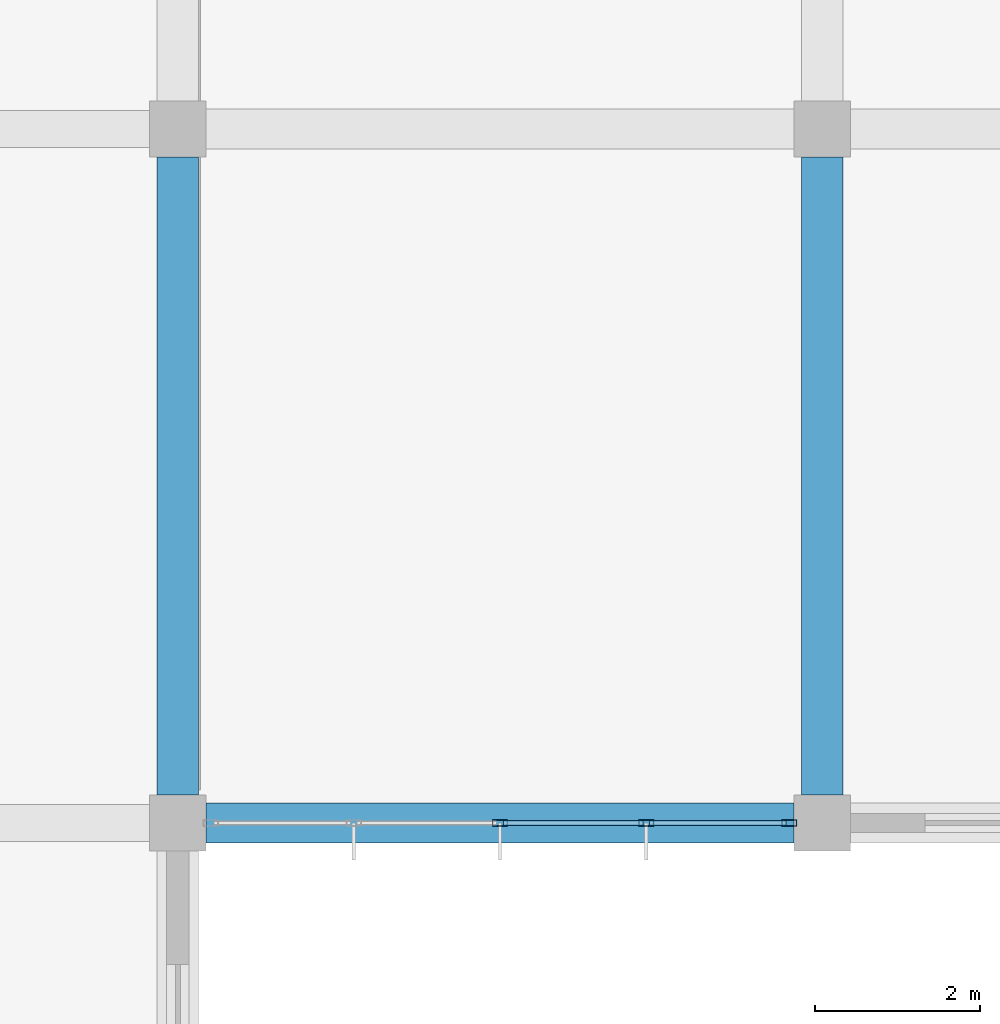
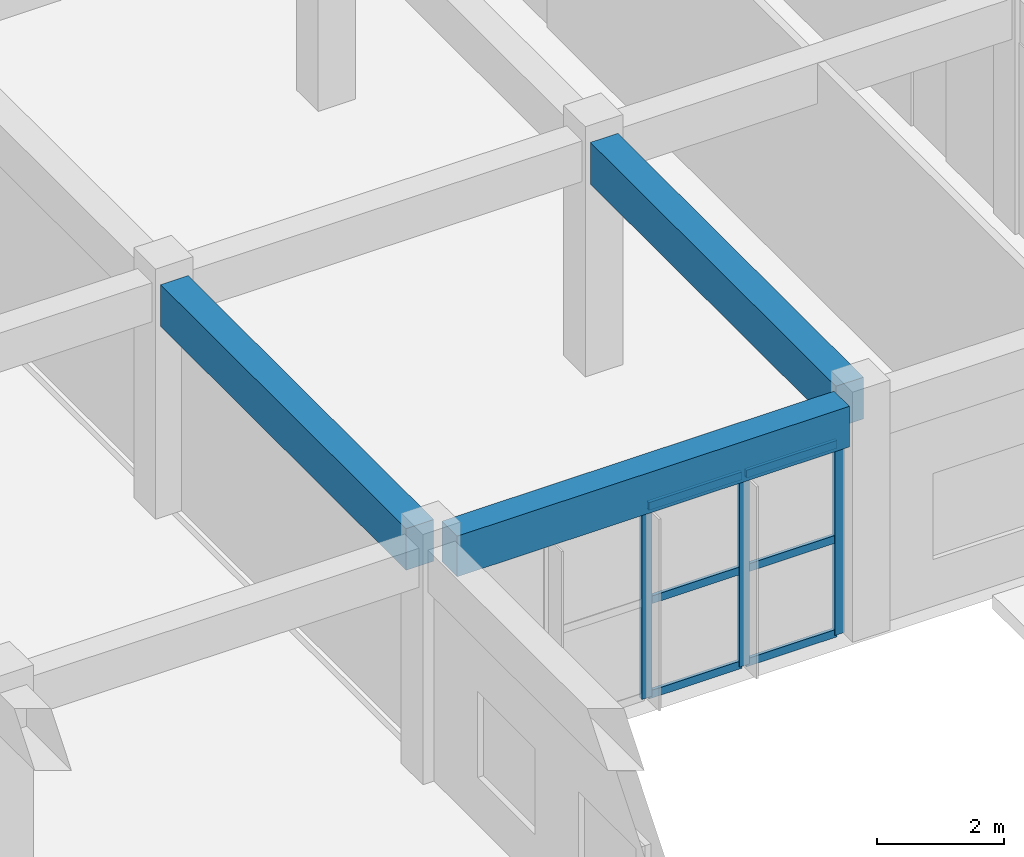
# One storey, part 91 of 175: 9 members, 3 beams, 1 element without a shape of its own.
"""IFC4 building model written with IfcOpenShell, lengths in metres."""

from ifc_helpers import new_model, si_unit, direction, frame, origin, origin_2d, place, context, subcontext, project, spatial, rectangle, hollow_rectangle, extrude, material, layer, layer_set, material_profile, profile_set, type_object, element, aggregate, save


model = new_model("IFC4")

# Units and contexts
model_context = context("Model", 3, precision=1e-05, world=origin(), true_north=direction((0.0, 1.0)))
body_context = subcontext(model_context, "Body", "Model", "MODEL_VIEW")
ifc_project = project(units=[si_unit("LENGTHUNIT", "METRE"), si_unit("AREAUNIT", "SQUARE_METRE"), si_unit("VOLUMEUNIT", "CUBIC_METRE"), si_unit("PLANEANGLEUNIT", "RADIAN"), si_unit("MASSUNIT", "GRAM", prefix="KILO")], contexts=[model_context])

# Site, building, storey
site_placement = place(None, origin())
site = spatial("IfcSite", under=ifc_project, at=site_placement, CompositionType="ELEMENT")
building_placement = place(site_placement, origin())
building = spatial("IfcBuilding", under=site, at=building_placement, Name="Zizhar Promenade General Hospital", CompositionType="ELEMENT")
storey_placement = place(building_placement, frame((0.0, 0.0, 4.800048828125)))
storey = spatial("IfcBuildingStorey", under=building, at=storey_placement, Name="L01", CompositionType="ELEMENT", Elevation=4.800048828125)

# Beams
ifc_material_1 = material(Name="Concrete C35/45", Category="concrete")
ifc_material_profile_1 = material_profile(ifc_material_1, rectangle(XDim=0.47998046875, YDim=0.780029296875, at=origin_2d()))
ifc_profile_set_1 = profile_set([ifc_material_profile_1], Name="Concrete C35/45")
beam_type_1 = type_object("IfcBeamType", Name="BM-RC-480x780", PredefinedType="BEAM", material=ifc_profile_set_1)
beam_placement = place(storey_placement, frame((132.93994140625, 42.0, 4.079833984375), z_axis=(1.0, 0.0, 0.0), x_axis=(0.0, 1.0, 0.0)))
element("IfcBeam", 1, at=beam_placement, inside=storey, type_object=beam_type_1, Name="Grid Beam X L01 (17-5)", PredefinedType="BEAM", context=body_context, shape_type="SweptSolid", body=[
    extrude(rectangle(XDim=0.47998046875, YDim=0.780029296875, at=origin_2d()), origin(), (0.0, 0.0, 1.0), 7.1201171875),
])
ifc_material_2 = material(Name="Concrete C35/45", Category="concrete")
ifc_material_profile_2 = material_profile(ifc_material_2, rectangle(XDim=0.5, YDim=0.800048828125, at=origin_2d()))
ifc_profile_set_2 = profile_set([ifc_material_profile_2], Name="Concrete C35/45")
beam_type_2 = type_object("IfcBeamType", Name="BM-RC-500x800", PredefinedType="BEAM", material=ifc_profile_set_2)
for number, where, z_axis, x_axis, name in (
    (2, (132.60009765625, 42.340087890625, 4.070068359375), (0.0, 1.0, 0.0), (-1.0, 0.0, 0.0), "Grid Beam Y L01 (17-5)"),
    (3, (140.39990234375, 42.340087890625, 4.070068359375), (0.0, 1.0, 0.0), (-1.0, 0.0, 0.0), "Grid Beam Y L01 (18-5)"),
):
    element("IfcBeam", number, at=place(storey_placement, frame(where, z_axis=z_axis, x_axis=x_axis)), inside=storey, type_object=beam_type_2, Name=name, PredefinedType="BEAM", context=body_context, shape_type="SweptSolid", body=[
        extrude(rectangle(XDim=0.5, YDim=0.800048828125, at=origin_2d()), origin(), (0.0, 0.0, 1.0), 7.719970703125),
    ])

# Curtain wall, members
ifc_material_3 = material(Name="Anodised aluminium 6063-T6 and low-E glass", Category="aluminium")
ifc_layer = layer(ifc_material_3, 0.159912109375)
ifc_layer_set = layer_set([ifc_layer], Name="Anodised aluminium 6063-T6 and low-E glass")
curtain_wall_type = type_object("IfcCurtainWallType", Name="CW-CLN-EXT", PredefinedType="NOTDEFINED", material=ifc_layer_set)
curtain_wall_placement = place(storey_placement, origin())
curtain_wall = element("IfcCurtainWall", 4, at=curtain_wall_placement, inside=storey, type_object=curtain_wall_type, Name="Outpatient Forecourt Curtain Wall L01-17", PredefinedType="NOTDEFINED")
ifc_material_4 = material(Name="Anodised aluminium 6063-T6", Category="aluminium")
ifc_material_profile_3 = material_profile(ifc_material_4, hollow_rectangle(XDim=0.080078125, YDim=0.179931640625, WallThickness=0.0048828125, at=origin_2d()))
ifc_profile_set_3 = profile_set([ifc_material_profile_3], Name="Anodised aluminium 6063-T6")
member_type_1 = type_object("IfcMemberType", Name="CWM-ALU-180x80", PredefinedType="MULLION", material=ifc_profile_set_3)
member_1_placement = place(storey_placement, frame((140.0, 42.0, 0.0), z_axis=(0.0, 0.0, 1.0), x_axis=(0.0, -1.0, 0.0)))
member_1 = element("IfcMember", 5, at=member_1_placement, type_object=member_type_1, Name="CW-09 mullion 1", PredefinedType="MULLION", context=body_context, shape_type="SweptSolid", body=[
    extrude(hollow_rectangle(XDim=0.080078125, YDim=0.179931640625, WallThickness=0.0048828125, at=origin_2d()), origin(), (0.0, 0.0, 1.0), 3.679931640625),
])
member_2_placement = place(storey_placement, frame((138.27001953125, 42.0, 0.0), z_axis=(0.0, 0.0, 1.0), x_axis=(0.0, -1.0, 0.0)))
member_2 = element("IfcMember", 6, at=member_2_placement, type_object=member_type_1, Name="CW-09 mullion 2", PredefinedType="MULLION", context=body_context, shape_type="SweptSolid", body=[
    extrude(hollow_rectangle(XDim=0.080078125, YDim=0.179931640625, WallThickness=0.0048828125, at=origin_2d()), origin(), (0.0, 0.0, 1.0), 3.679931640625),
])
member_3_placement = place(storey_placement, frame((136.5, 42.0, 0.0), z_axis=(0.0, 0.0, 1.0), x_axis=(0.0, -1.0, 0.0)))
member_3 = element("IfcMember", 7, at=member_3_placement, type_object=member_type_1, Name="CW-09 mullion 3", PredefinedType="MULLION", context=body_context, shape_type="SweptSolid", body=[
    extrude(hollow_rectangle(XDim=0.080078125, YDim=0.179931640625, WallThickness=0.0048828125, at=origin_2d()), origin(), (0.0, 0.0, 1.0), 3.679931640625),
])
ifc_material_5 = material(Name="Anodised aluminium 6063-T6", Category="aluminium")
ifc_material_profile_4 = material_profile(ifc_material_5, hollow_rectangle(XDim=0.06005859375, YDim=0.14990234375, WallThickness=0.00390625, at=origin_2d()))
ifc_profile_set_4 = profile_set([ifc_material_profile_4], Name="Anodised aluminium 6063-T6")
member_type_2 = type_object("IfcMemberType", Name="CWT-ALU-150x60", PredefinedType="USERDEFINED", material=ifc_profile_set_4)
member_4_placement = place(storey_placement, frame((139.9599609375, 42.0, 0.030029296875), z_axis=(-1.0, 0.0, 0.0), x_axis=(0.0, -1.0, 0.0)))
member_4 = element("IfcMember", 8, at=member_4_placement, type_object=member_type_2, Name="CW-09 transom 1.1", ObjectType="TRANSOM", PredefinedType="USERDEFINED", context=body_context, shape_type="SweptSolid", body=[
    extrude(hollow_rectangle(XDim=0.06005859375, YDim=0.14990234375, WallThickness=0.00390625, at=origin_2d()), origin(), (0.0, 0.0, 1.0), 1.64990234375),
])
member_5_placement = place(storey_placement, frame((139.9599609375, 42.0, 1.83984375), z_axis=(-1.0, 0.0, 0.0), x_axis=(0.0, -1.0, 0.0)))
member_5 = element("IfcMember", 9, at=member_5_placement, type_object=member_type_2, Name="CW-09 transom 1.2", ObjectType="TRANSOM", PredefinedType="USERDEFINED", context=body_context, shape_type="SweptSolid", body=[
    extrude(hollow_rectangle(XDim=0.06005859375, YDim=0.14990234375, WallThickness=0.00390625, at=origin_2d()), origin(), (0.0, 0.0, 1.0), 1.64990234375),
])
member_6_placement = place(storey_placement, frame((139.9599609375, 42.0, 3.64990234375), z_axis=(-1.0, 0.0, 0.0), x_axis=(0.0, -1.0, 0.0)))
member_6 = element("IfcMember", 10, at=member_6_placement, type_object=member_type_2, Name="CW-09 transom 1.3", ObjectType="TRANSOM", PredefinedType="USERDEFINED", context=body_context, shape_type="SweptSolid", body=[
    extrude(hollow_rectangle(XDim=0.06005859375, YDim=0.14990234375, WallThickness=0.00390625, at=origin_2d()), origin(), (0.0, 0.0, 1.0), 1.64990234375),
])
member_7_placement = place(storey_placement, frame((138.22998046875, 42.0, 0.030029296875), z_axis=(-1.0, 0.0, 0.0), x_axis=(0.0, -1.0, 0.0)))
member_7 = element("IfcMember", 11, at=member_7_placement, type_object=member_type_2, Name="CW-09 transom 2.1", ObjectType="TRANSOM", PredefinedType="USERDEFINED", context=body_context, shape_type="SweptSolid", body=[
    extrude(hollow_rectangle(XDim=0.06005859375, YDim=0.14990234375, WallThickness=0.00390625, at=origin_2d()), origin(), (0.0, 0.0, 1.0), 1.68994140625),
])
member_8_placement = place(storey_placement, frame((138.22998046875, 42.0, 1.83984375), z_axis=(-1.0, 0.0, 0.0), x_axis=(0.0, -1.0, 0.0)))
member_8 = element("IfcMember", 12, at=member_8_placement, type_object=member_type_2, Name="CW-09 transom 2.2", ObjectType="TRANSOM", PredefinedType="USERDEFINED", context=body_context, shape_type="SweptSolid", body=[
    extrude(hollow_rectangle(XDim=0.06005859375, YDim=0.14990234375, WallThickness=0.00390625, at=origin_2d()), origin(), (0.0, 0.0, 1.0), 1.68994140625),
])
member_9_placement = place(storey_placement, frame((138.22998046875, 42.0, 3.64990234375), z_axis=(-1.0, 0.0, 0.0), x_axis=(0.0, -1.0, 0.0)))
member_9 = element("IfcMember", 13, at=member_9_placement, type_object=member_type_2, Name="CW-09 transom 2.3", ObjectType="TRANSOM", PredefinedType="USERDEFINED", context=body_context, shape_type="SweptSolid", body=[
    extrude(hollow_rectangle(XDim=0.06005859375, YDim=0.14990234375, WallThickness=0.00390625, at=origin_2d()), origin(), (0.0, 0.0, 1.0), 1.68994140625),
])
aggregate(curtain_wall, [member_1, member_2, member_3, member_4, member_5, member_6, member_7, member_8, member_9])

save(model, "model.ifc")
